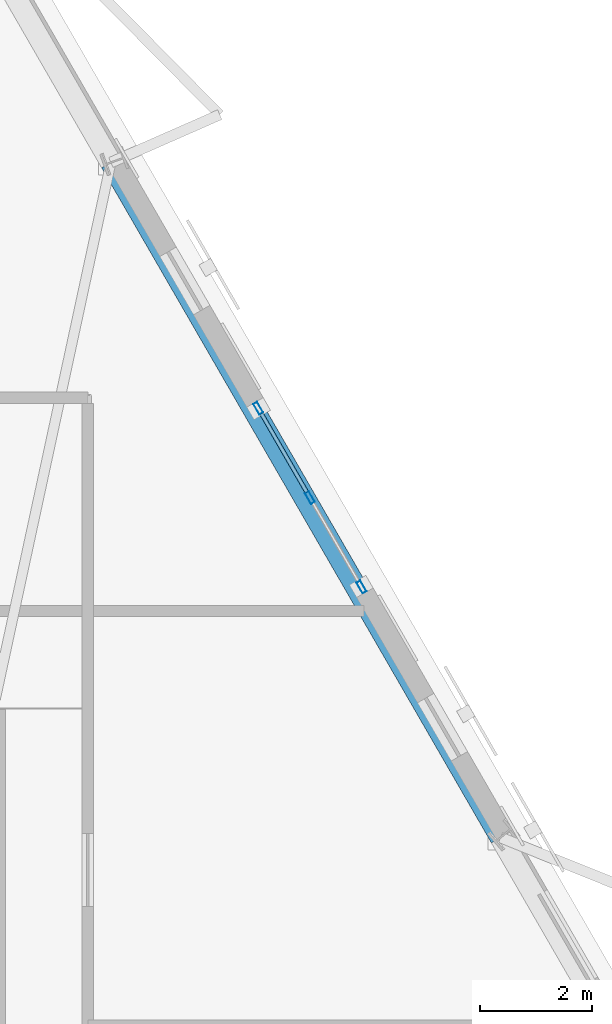
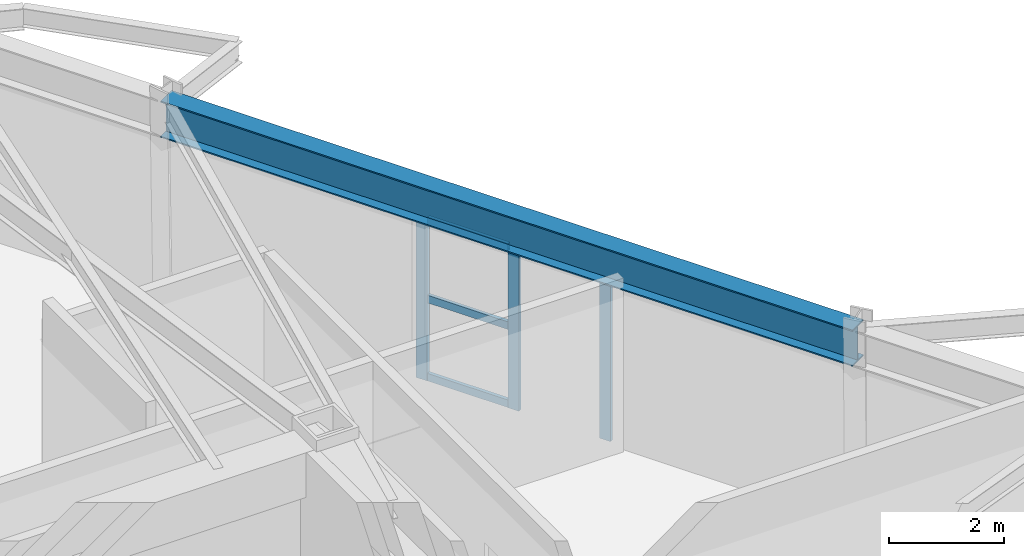
# One storey, part 6 of 14: 6 members, 1 beam, 1 element without a shape of its own.
"""IFC4 building model written with IfcOpenShell, lengths in metres."""

import ifcopenshell
import ifcopenshell.guid

model = None  # the IFC model being written
_history = None  # IfcOwnerHistory: only IFC2X3 demands one
_inside = {}  # id of a spatial element -> (the spatial element, [elements in it])
_under = {}  # id of a project, library or spatial element -> (it, [spatial elements below it])
_declared = {}  # id of a project -> (the project, [libraries it declares])
_typed = {}  # id of a type object -> (the type object, [elements of that type])
_made_of = {}  # id of a material, layer set ... -> (it, [elements and type objects made of it])


def new_model(schema):
    """Start an empty IFC model of exactly this schema.

    Asked for "IFC4X3", IfcOpenShell would pick the latest addendum, in which some entities
    have other attributes; the version numbers below select the first issue.
    IFC2X3 requires an IfcOwnerHistory on every rooted entity: one is made here for all.
    """
    global model, _history
    if schema == "IFC4X3":
        model = ifcopenshell.file(schema_version=(4, 3, 0, 0))
    else:
        model = ifcopenshell.file(schema=schema)
    _inside.clear()
    _under.clear()
    _declared.clear()
    _typed.clear()
    _made_of.clear()
    _history = None
    if model.schema == "IFC2X3":
        org = make("IfcOrganization", Name="unknown")
        user = make(
            "IfcPersonAndOrganization",
            ThePerson=make("IfcPerson", FamilyName="unknown"),
            TheOrganization=org,
        )
        app = make(
            "IfcApplication",
            ApplicationDeveloper=org,
            Version="unknown",
            ApplicationFullName="unknown",
            ApplicationIdentifier="unknown",
        )
        _history = make(
            "IfcOwnerHistory",
            OwningUser=user,
            OwningApplication=app,
            ChangeAction="ADDED",
            CreationDate=0,
        )
    return model


def make(cls, **values):
    """One entity of the class cls with the attributes given. An attribute that is None is left unset."""
    return model.create_entity(
        cls, **{name: value for name, value in values.items() if value is not None}
    )


def rooted(cls, **values):
    """An entity with a GlobalId (a new one), such as an element, a storey or a relation."""
    return make(cls, GlobalId=ifcopenshell.guid.new(), OwnerHistory=_history, **values)


def si_unit(unit_type, name, prefix=None):
    """IfcSIUnit, for example si_unit("LENGTHUNIT", "METRE", prefix="MILLI")."""
    return make("IfcSIUnit", UnitType=unit_type, Prefix=prefix, Name=name)


def assignment(units):
    """IfcUnitAssignment: the units of a project."""
    return None if units is None else make("IfcUnitAssignment", Units=units)


def point(xyz):
    """IfcCartesianPoint."""
    return None if xyz is None else make("IfcCartesianPoint", Coordinates=xyz)


def direction(xyz):
    """IfcDirection."""
    return None if xyz is None else make("IfcDirection", DirectionRatios=xyz)


def frame(location, z_axis=None, x_axis=None):
    """IfcAxis2Placement3D, a coordinate frame: its origin and axes. An axis left out is left unset."""
    return make(
        "IfcAxis2Placement3D",
        Location=point(location),
        Axis=direction(z_axis),
        RefDirection=direction(x_axis),
    )


def frame_2d(location, x_axis=None):
    """IfcAxis2Placement2D, a coordinate frame in the plane: its origin and x axis."""
    return make(
        "IfcAxis2Placement2D", Location=point(location), RefDirection=direction(x_axis)
    )


def origin():
    """The frame at (0, 0, 0) with its axes left unset."""
    return frame((0.0, 0.0, 0.0))


def origin_2d():
    """The frame at (0, 0) in the plane with its x axis left unset."""
    return frame_2d((0.0, 0.0))


def place(relative_to, where):
    """IfcLocalPlacement: puts the frame where relative to a parent placement (None: the world)."""
    return make(
        "IfcLocalPlacement", PlacementRelTo=relative_to, RelativePlacement=where
    )


def context(
    kind, dimensions, precision=None, world=None, true_north=None, identifier=None
):
    """IfcGeometricRepresentationContext, for example the 3D "Model" context."""
    return make(
        "IfcGeometricRepresentationContext",
        ContextIdentifier=identifier,
        ContextType=kind,
        CoordinateSpaceDimension=dimensions,
        Precision=precision,
        WorldCoordinateSystem=world,
        TrueNorth=true_north,
    )


def subcontext(parent, identifier, kind, view, scale=None):
    """IfcGeometricRepresentationSubContext, for example "Body" below "Model"."""
    return make(
        "IfcGeometricRepresentationSubContext",
        ContextIdentifier=identifier,
        ContextType=kind,
        ParentContext=parent,
        TargetScale=scale,
        TargetView=view,
    )


def project(units=None, contexts=None):
    """IfcProject with its units and contexts."""
    return rooted(
        "IfcProject",
        Name="project",
        RepresentationContexts=contexts,
        UnitsInContext=assignment(units),
    )


def spatial(cls, under=None, at=None, **own):
    """A site, building, storey or space (cls), placed at a placement, below another one or the project."""
    s = rooted(cls, ObjectPlacement=at, **own)
    if under is not None:
        _under.setdefault(under.id(), (under, []))[1].append(s)
    return s


def profile(cls, at=None, kind="AREA", **sizes):
    """A parametric profile (cls). Its sizes go by their IFC names, for example OverallWidth=200.0."""
    return make(cls, ProfileType=kind, Position=at, **sizes)


def hollow_rectangle(**sizes):
    """IfcRectangleHollowProfileDef."""
    return profile("IfcRectangleHollowProfileDef", **sizes)


def i_section(**sizes):
    """IfcIShapeProfileDef."""
    return profile("IfcIShapeProfileDef", **sizes)


def extrude(swept, where, along, depth):
    """IfcExtrudedAreaSolid: the profile swept, set in the frame where, extruded along a direction by depth."""
    return make(
        "IfcExtrudedAreaSolid",
        SweptArea=swept,
        Position=where,
        ExtrudedDirection=direction(along),
        Depth=depth,
    )


def shape(context_of_items, identifier, shape_type, items):
    """IfcShapeRepresentation: the items that make up one representation, for example the "Body"."""
    return make(
        "IfcShapeRepresentation",
        ContextOfItems=context_of_items,
        RepresentationIdentifier=identifier,
        RepresentationType=shape_type,
        Items=items,
    )


def material(Name=None, Category=None):
    """IfcMaterial."""
    return make("IfcMaterial", Name=Name, Category=Category)


def layer(
    of_material, thickness, ventilated=None, Name=None, Category=None, Priority=None
):
    """IfcMaterialLayer: one layer of a wall or slab, of a material (None: an air gap)."""
    return make(
        "IfcMaterialLayer",
        Material=of_material,
        LayerThickness=thickness,
        IsVentilated=ventilated,
        Name=Name,
        Category=Category,
        Priority=Priority,
    )


def layer_set(layers, Name=None):
    """IfcMaterialLayerSet."""
    return make("IfcMaterialLayerSet", MaterialLayers=layers, LayerSetName=Name)


def material_profile(
    of_material, cross_section, Name=None, Category=None, Priority=None
):
    """IfcMaterialProfile: a cross section and its material."""
    return make(
        "IfcMaterialProfile",
        Name=Name,
        Material=of_material,
        Profile=cross_section,
        Priority=Priority,
        Category=Category,
    )


def profile_set(profiles, Name=None, composite=None):
    """IfcMaterialProfileSet."""
    return make(
        "IfcMaterialProfileSet",
        Name=Name,
        MaterialProfiles=profiles,
        CompositeProfile=composite,
    )


def made_of(thing, what):
    """Note that an element or type object is made of a material, layer set ...; save() writes the relation."""
    if what is not None:
        _made_of.setdefault(what.id(), (what, []))[1].append(thing)
    return thing


def type_object(cls, material=None, **own):
    """A type object (cls), such as IfcWallType, which elements share."""
    return made_of(rooted(cls, **own), material)


def element(
    cls,
    number,
    at=None,
    inside=None,
    cuts=None,
    type_object=None,
    material=None,
    context=None,
    identifier="Body",
    shape_type=None,
    held_by="IfcProductDefinitionShape",
    body=None,
    shapes=None,
    **own,
):
    """One element of the class cls, such as IfcWall. Its Tag is "e" and its number.

    at: its placement. inside: the storey or other place that contains it. cuts: it is an
    opening in that element (IfcRelVoidsElement). A single representation is given by context,
    identifier, shape_type and body (its items); several are given by shapes. held_by: the class
    of the entity that holds the representations. save() writes the other relations.
    """
    e = rooted(cls, Tag="e%d" % number, ObjectPlacement=at, **own)
    if body is not None:
        shapes = [shape(context, identifier, shape_type, body)]
    if shapes is not None:
        e.Representation = make(held_by, Representations=shapes)
    if inside is not None:
        _inside.setdefault(inside.id(), (inside, []))[1].append(e)
    if cuts is not None:
        rooted(
            "IfcRelVoidsElement", RelatingBuildingElement=cuts, RelatedOpeningElement=e
        )
    if type_object is not None:
        _typed.setdefault(type_object.id(), (type_object, []))[1].append(e)
    return made_of(e, material)


def aggregate(whole, parts):
    """IfcRelAggregates: a whole, such as a stair, and the parts it consists of."""
    return rooted("IfcRelAggregates", RelatingObject=whole, RelatedObjects=parts)


def save(model, path):
    """Write the relations noted so far, then the file.

    IfcRelAggregates (storeys below a building ...), IfcRelContainedInSpatialStructure (elements
    in a storey), IfcRelDefinesByType, IfcRelAssociatesMaterial and IfcRelDeclares: one each for
    every whole, place, type object, material and project.
    """
    for whole, parts in _under.values():
        aggregate(whole, parts)
    for where, things in _inside.values():
        rooted(
            "IfcRelContainedInSpatialStructure",
            RelatedElements=things,
            RelatingStructure=where,
        )
    for kind, things in _typed.values():
        rooted("IfcRelDefinesByType", RelatedObjects=things, RelatingType=kind)
    for what, things in _made_of.values():
        rooted("IfcRelAssociatesMaterial", RelatedObjects=things, RelatingMaterial=what)
    for by, libraries in _declared.values():
        rooted("IfcRelDeclares", RelatingContext=by, RelatedDefinitions=libraries)
    model.write(path)


model = new_model("IFC4")

# Units and contexts
model_context = context("Model", 3, precision=1e-05, world=origin(), true_north=direction((0.0, 1.0)))
body_context = subcontext(model_context, "Body", "Model", "MODEL_VIEW")
ifc_project = project(units=[si_unit("LENGTHUNIT", "METRE"), si_unit("AREAUNIT", "SQUARE_METRE"), si_unit("VOLUMEUNIT", "CUBIC_METRE"), si_unit("PLANEANGLEUNIT", "RADIAN"), si_unit("MASSUNIT", "GRAM", prefix="KILO")], contexts=[model_context])

# Site, building, storey
site_placement = place(None, origin())
site = spatial("IfcSite", under=ifc_project, at=site_placement, CompositionType="ELEMENT")
building_placement = place(site_placement, origin())
building = spatial("IfcBuilding", under=site, at=building_placement, Name="Oramaril Tower", CompositionType="ELEMENT")
storey_placement = place(building_placement, frame((0.0, 0.0, 107.699951171875)))
storey = spatial("IfcBuildingStorey", under=building, at=storey_placement, Name="L28", CompositionType="ELEMENT", Elevation=107.699951171875)

# Beam
ifc_material_1 = material(Name="Steel ASTM A572 Gr 50", Category="steel")
ifc_material_profile_1 = material_profile(ifc_material_1, i_section(OverallWidth=0.381103515625, OverallDepth=0.77197265625, WebThickness=0.0166015625, FlangeThickness=0.027099609375, at=origin_2d()), Name="W30X173")
ifc_profile_set_1 = profile_set([ifc_material_profile_1], Name="Steel ASTM A572 Gr 50")
beam_type = type_object("IfcBeamType", Name="BT-SP2", PredefinedType="SPANDREL", material=ifc_profile_set_1)
beam_placement = place(storey_placement, frame((55.312255859375, 22.358642578125, 3.8740234375), z_axis=(-0.499994602708, 0.86602851989, 0.0), x_axis=(-0.86602851989, -0.499994602708, 0.0)))
element("IfcBeam", 1, at=beam_placement, inside=storey, type_object=beam_type, Name="L28 Perimeter Spandrel 10", PredefinedType="SPANDREL", context=body_context, shape_type="SweptSolid", body=[
    extrude(i_section(OverallWidth=0.381103515625, OverallDepth=0.77197265625, WebThickness=0.0166015625, FlangeThickness=0.027099609375, at=origin_2d()), origin(), (0.0, 0.0, 1.0), 13.900146484375),
])

# Curtain wall, members
ifc_material_2 = material(Name="Anodised Aluminium 6063-T6", Category="aluminium")
ifc_layer = layer(ifc_material_2, 0.219970703125)
ifc_layer_set = layer_set([ifc_layer], Name="CWT-SYS5")
curtain_wall_type = type_object("IfcCurtainWallType", Name="CWT-SYS5", PredefinedType="NOTDEFINED", material=ifc_layer_set)
curtain_wall_placement = place(storey_placement, origin())
curtain_wall = element("IfcCurtainWall", 2, at=curtain_wall_placement, inside=storey, type_object=curtain_wall_type, Name="L28 Unitised Curtain Wall CW-5", PredefinedType="NOTDEFINED")
ifc_material_3 = material(Name="Anodised Aluminium 6063-T6", Category="aluminium")
ifc_material_profile_2 = material_profile(ifc_material_3, hollow_rectangle(XDim=0.080078125, YDim=0.219970703125, WallThickness=0.00390625, at=origin_2d()), Name="CWM220X80")
ifc_profile_set_2 = profile_set([ifc_material_profile_2], Name="Anodised Aluminium 6063-T6")
member_type_1 = type_object("IfcMemberType", Name="MT-CWM1", PredefinedType="MULLION", material=ifc_profile_set_2)
member_1_placement = place(storey_placement, frame((52.831298828125, 26.826904296875, 0.0), z_axis=(0.0, 0.0, 1.0), x_axis=(-0.866025463091, -0.499999897278, 0.0)))
member_1 = element("IfcMember", 3, at=member_1_placement, type_object=member_type_1, Name="CW-5 mullion 1", PredefinedType="MULLION", context=body_context, shape_type="SweptSolid", body=[
    extrude(hollow_rectangle(XDim=0.080078125, YDim=0.219970703125, WallThickness=0.00390625, at=origin_2d()), origin(), (0.0, 0.0, 1.0), 3.47802734375),
])
member_2_placement = place(storey_placement, frame((51.9111328125, 28.42041015625, 0.0), z_axis=(0.0, 0.0, 1.0), x_axis=(-0.866025463091, -0.499999897278, 0.0)))
member_2 = element("IfcMember", 4, at=member_2_placement, type_object=member_type_1, Name="CW-5 mullion 2", PredefinedType="MULLION", context=body_context, shape_type="SweptSolid", body=[
    extrude(hollow_rectangle(XDim=0.080078125, YDim=0.219970703125, WallThickness=0.00390625, at=origin_2d()), origin(), (0.0, 0.0, 1.0), 3.47802734375),
])
member_3_placement = place(storey_placement, frame((50.9912109375, 30.013916015625, 0.0), z_axis=(0.0, 0.0, 1.0), x_axis=(-0.866025463091, -0.499999897278, 0.0)))
member_3 = element("IfcMember", 5, at=member_3_placement, type_object=member_type_1, Name="CW-5 mullion 3", PredefinedType="MULLION", context=body_context, shape_type="SweptSolid", body=[
    extrude(hollow_rectangle(XDim=0.080078125, YDim=0.219970703125, WallThickness=0.00390625, at=origin_2d()), origin(), (0.0, 0.0, 1.0), 3.47802734375),
])
ifc_material_4 = material(Name="Anodised Aluminium 6063-T6", Category="aluminium")
ifc_material_profile_3 = material_profile(ifc_material_4, hollow_rectangle(XDim=0.070068359375, YDim=0.159912109375, WallThickness=0.00390625, at=origin_2d()), Name="CWT160X70")
ifc_profile_set_3 = profile_set([ifc_material_profile_3], Name="Anodised Aluminium 6063-T6")
member_type_2 = type_object("IfcMemberType", Name="MT-CWT1", PredefinedType="USERDEFINED", material=ifc_profile_set_3)
member_4_placement = place(storey_placement, frame((51.856201171875, 28.515625, 0.080078125), z_axis=(-0.500061642096, 0.865989811779, 0.0), x_axis=(-0.865989811779, -0.500061642096, 0.0)))
member_4 = element("IfcMember", 6, at=member_4_placement, type_object=member_type_2, Name="CW-5 transom 2.1", ObjectType="TRANSOM", PredefinedType="USERDEFINED", context=body_context, shape_type="SweptSolid", body=[
    extrude(hollow_rectangle(XDim=0.070068359375, YDim=0.159912109375, WallThickness=0.00390625, at=origin_2d()), origin(), (0.0, 0.0, 1.0), 1.619873046875),
])
member_5_placement = place(storey_placement, frame((51.856201171875, 28.515625, 1.739013671875), z_axis=(-0.500061642096, 0.865989811779, 0.0), x_axis=(-0.865989811779, -0.500061642096, 0.0)))
member_5 = element("IfcMember", 7, at=member_5_placement, type_object=member_type_2, Name="CW-5 transom 2.2", ObjectType="TRANSOM", PredefinedType="USERDEFINED", context=body_context, shape_type="SweptSolid", body=[
    extrude(hollow_rectangle(XDim=0.070068359375, YDim=0.159912109375, WallThickness=0.00390625, at=origin_2d()), origin(), (0.0, 0.0, 1.0), 1.619873046875),
])
member_6_placement = place(storey_placement, frame((51.856201171875, 28.515625, 3.39794921875), z_axis=(-0.500061642096, 0.865989811779, 0.0), x_axis=(-0.865989811779, -0.500061642096, 0.0)))
member_6 = element("IfcMember", 8, at=member_6_placement, type_object=member_type_2, Name="CW-5 transom 2.3", ObjectType="TRANSOM", PredefinedType="USERDEFINED", context=body_context, shape_type="SweptSolid", body=[
    extrude(hollow_rectangle(XDim=0.070068359375, YDim=0.159912109375, WallThickness=0.00390625, at=origin_2d()), origin(), (0.0, 0.0, 1.0), 1.619873046875),
])
aggregate(curtain_wall, [member_1, member_2, member_3, member_4, member_5, member_6])

save(model, "model.ifc")
